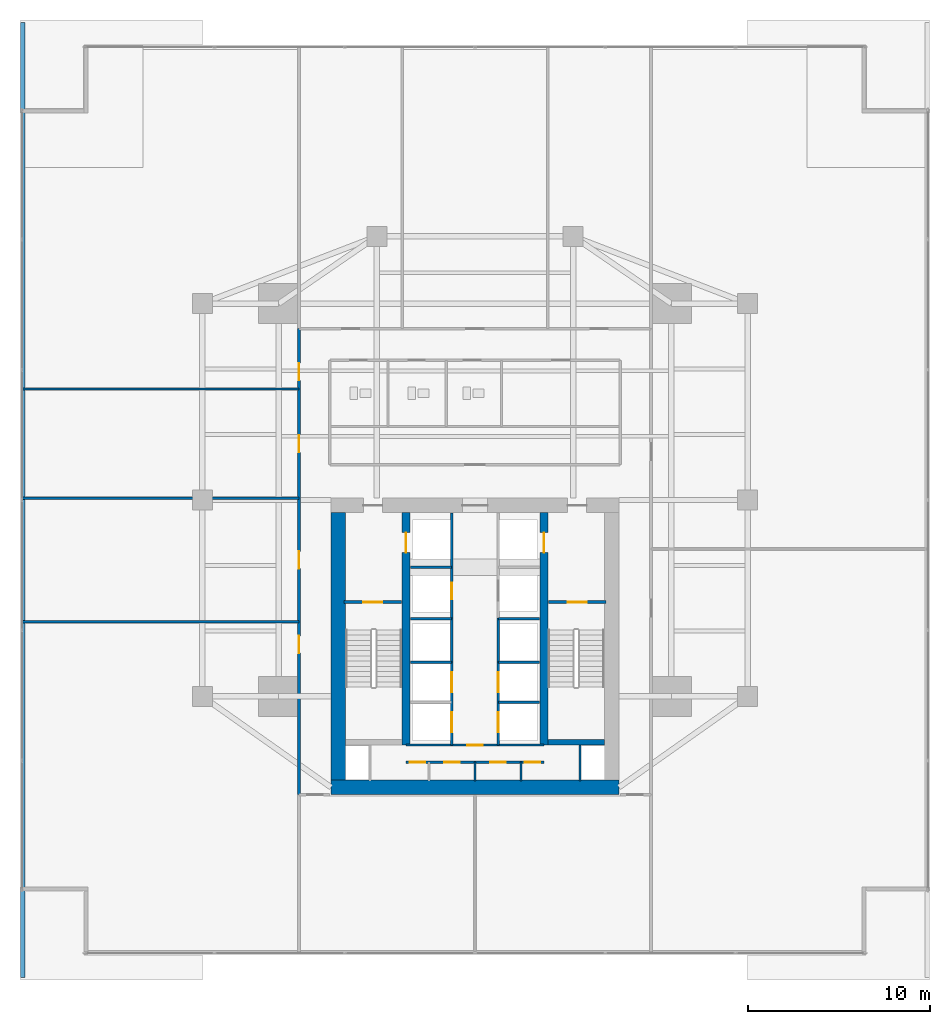
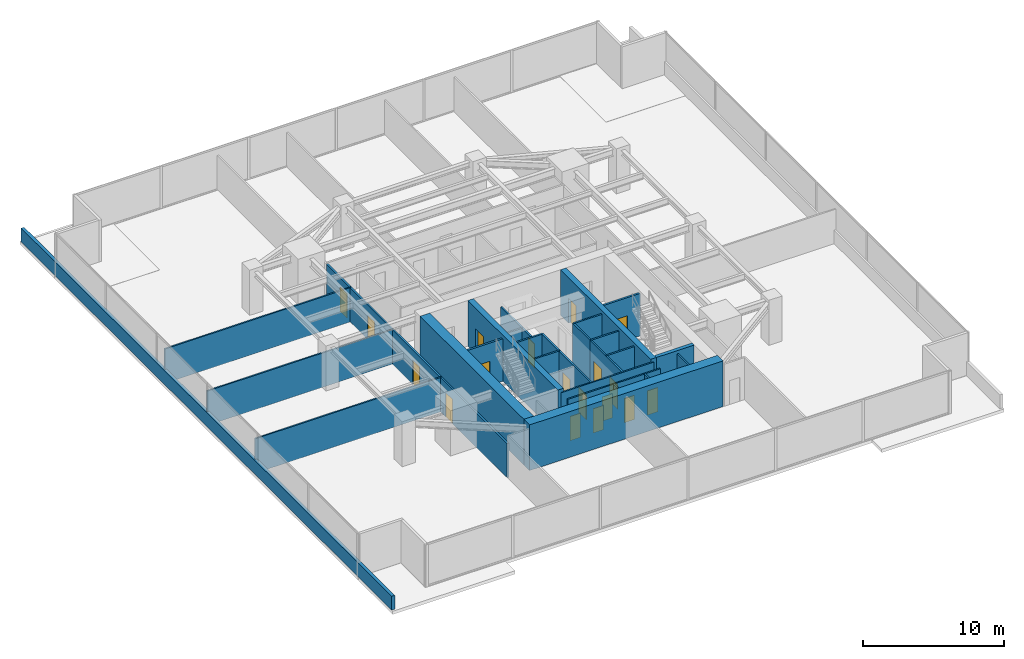
# One storey, part 25 of 30: 28 walls, 18 doors, 18 openings.
"""IFC4 building model written with IfcOpenShell, lengths in metres."""

from ifc_helpers import new_model, si_unit, direction, frame, frame_2d, origin, place, context, subcontext, project, spatial, rectangle, extrude, material, layer, layer_set, type_object, element, fill, save


model = new_model("IFC4")

# Units and contexts
model_context = context("Model", 3, precision=1e-05, world=origin(), true_north=direction((0.0, 1.0)))
body_context = subcontext(model_context, "Body", "Model", "MODEL_VIEW")
ifc_project = project(units=[si_unit("LENGTHUNIT", "METRE"), si_unit("AREAUNIT", "SQUARE_METRE"), si_unit("VOLUMEUNIT", "CUBIC_METRE"), si_unit("PLANEANGLEUNIT", "RADIAN"), si_unit("MASSUNIT", "GRAM", prefix="KILO")], contexts=[model_context])

# Site, building, storey
site_placement = place(None, origin())
site = spatial("IfcSite", under=ifc_project, at=site_placement, CompositionType="ELEMENT")
building_placement = place(site_placement, origin())
building = spatial("IfcBuilding", under=site, at=building_placement, Name="Krantzveldt Concourse Tower", CompositionType="ELEMENT")
storey_placement = place(building_placement, frame((0.0, 0.0, 25.0)))
storey = spatial("IfcBuildingStorey", under=building, at=storey_placement, Name="L05", CompositionType="ELEMENT", Elevation=25.0)

# Wall
ifc_material_1 = material(Name="Precast concrete C40/50", Category="concrete")
ifc_layer_1 = layer(ifc_material_1, 0.25, Name="Precast concrete C40/50", Category="concrete")
ifc_layer_set_1 = layer_set([ifc_layer_1], Name="Precast concrete C40/50 (WL-PARAPET-250)")
wall_type_1 = type_object("IfcWallType", Name="WL-PARAPET-250", PredefinedType="PARAPET", material=ifc_layer_set_1)
wall_1_placement = place(storey_placement, frame((11.1298828125, 0.449951171875, 0.0), z_axis=(0.0, 0.0, 1.0), x_axis=(0.0, 1.0, 0.0)))
element("IfcWall", 1, at=wall_1_placement, inside=storey, type_object=wall_type_1, Name="WL-L05-PAR-W", PredefinedType="PARAPET", context=body_context, shape_type="SweptSolid", body=[
    extrude(rectangle(XDim=52.5, YDim=0.25, at=frame_2d((26.25, 0.0))), origin(), (0.0, 0.0, 1.0), 1.199951171875),
])

# Wall, opening, door
ifc_material_2 = material(Name="Fire-rated gypsum plasterboard on steel stud", Category="steel")
ifc_layer_2 = layer(ifc_material_2, 0.1201171875, Name="Fire-rated gypsum plasterboard on steel stud", Category="steel")
ifc_layer_set_2 = layer_set([ifc_layer_2], Name="Fire-rated gypsum plasterboard on steel stud (WL-PART-120)")
wall_type_2 = type_object("IfcWallType", Name="WL-PART-120", PredefinedType="PARTITIONING", material=ifc_layer_set_2)
wall_2_placement = place(storey_placement, frame((32.2099609375, 13.219970703125, 0.0), z_axis=(0.0, 0.0, 1.0), x_axis=(1.0, 0.0, 0.0)))
wall_2 = element("IfcWall", 2, at=wall_2_placement, inside=storey, type_object=wall_type_2, Name="WP-L05-CS2H", PredefinedType="PARTITIONING", context=body_context, shape_type="SweptSolid", body=[
    extrude(rectangle(XDim=7.580078125, YDim=0.1201171875, at=frame_2d((3.7900390625, 0.0))), origin(), (0.0, 0.0, 1.0), 3.669921875),
])
opening_1_placement = place(wall_2_placement, frame((3.364990234375, 0.0, 0.0)))
opening_1 = element("IfcOpeningElement", 3, at=opening_1_placement, cuts=wall_2, Name="Opening D-IN085", PredefinedType="OPENING", context=body_context, shape_type="SweptSolid", body=[
    extrude(rectangle(XDim=0.85009765625, YDim=2.10009765625, at=frame_2d((0.425048828125, 1.050048828125))), frame((0.0, 0.070068359375, 0.0), z_axis=(0.0, -1.0, 0.0), x_axis=(1.0, 0.0, 0.0)), (0.0, 0.0, 1.0), 0.14013671875),
])
ifc_material_3 = material(Name="Hardwood timber", Category="wood")
door_type_1 = type_object("IfcDoorType", Name="DR-INT-850", OperationType="SINGLE_SWING_LEFT", PredefinedType="DOOR", material=ifc_material_3)
door_1_placement = place(opening_1_placement, origin())
door_1 = element("IfcDoor", 4, at=door_1_placement, inside=storey, type_object=door_type_1, Name="DR-L05-LLBS", OperationType="SINGLE_SWING_RIGHT", OverallHeight=2.10009765625, OverallWidth=0.85009765625, PredefinedType="DOOR", context=body_context, shape_type="SweptSolid", body=[
    extrude(rectangle(XDim=0.85009765625, YDim=2.10009765625, at=frame_2d((0.425048828125, 1.050048828125))), frame((0.0, 0.02490234375, 0.0), z_axis=(0.0, -1.0, 0.0), x_axis=(1.0, 0.0, 0.0)), (0.0, 0.0, 1.0), 0.050048828125),
])
fill(opening_1, door_1)

# Wall, openings, doors
wall_3_placement = place(storey_placement, frame((32.2099609375, 12.280029296875, 0.0), z_axis=(0.0, 0.0, 1.0), x_axis=(1.0, 0.0, 0.0)))
wall_3 = element("IfcWall", 5, at=wall_3_placement, inside=storey, type_object=wall_type_2, Name="WP-L05-CSD-HM", PredefinedType="PARTITIONING", context=body_context, shape_type="SweptSolid", body=[
    extrude(rectangle(XDim=7.580078125, YDim=0.1201171875, at=frame_2d((3.7900390625, 0.0))), origin(), (0.0, 0.0, 1.0), 3.669921875),
])
opening_2_placement = place(wall_3_placement, frame((0.205078125, 0.0, 0.0)))
opening_2 = element("IfcOpeningElement", 6, at=opening_2_placement, cuts=wall_3, Name="Opening D-IN085", PredefinedType="OPENING", context=body_context, shape_type="SweptSolid", body=[
    extrude(rectangle(XDim=0.85009765625, YDim=2.10009765625, at=frame_2d((0.425048828125, 1.050048828125))), frame((0.0, 0.070068359375, 0.0), z_axis=(0.0, -1.0, 0.0), x_axis=(1.0, 0.0, 0.0)), (0.0, 0.0, 1.0), 0.14013671875),
])
opening_3_placement = place(wall_3_placement, frame((2.094970703125, 0.0, 0.0)))
opening_3 = element("IfcOpeningElement", 7, at=opening_3_placement, cuts=wall_3, Name="Opening D-IN085", PredefinedType="OPENING", context=body_context, shape_type="SweptSolid", body=[
    extrude(rectangle(XDim=0.85009765625, YDim=2.10009765625, at=frame_2d((0.425048828125, 1.050048828125))), frame((0.0, 0.070068359375, 0.0), z_axis=(0.0, -1.0, 0.0), x_axis=(1.0, 0.0, 0.0)), (0.0, 0.0, 1.0), 0.14013671875),
])
opening_4_placement = place(wall_3_placement, frame((4.635009765625, 0.0, 0.0)))
opening_4 = element("IfcOpeningElement", 8, at=opening_4_placement, cuts=wall_3, Name="Opening D-IN085", PredefinedType="OPENING", context=body_context, shape_type="SweptSolid", body=[
    extrude(rectangle(XDim=0.85009765625, YDim=2.10009765625, at=frame_2d((0.425048828125, 1.050048828125))), frame((0.0, 0.070068359375, 0.0), z_axis=(0.0, -1.0, 0.0), x_axis=(1.0, 0.0, 0.0)), (0.0, 0.0, 1.0), 0.14013671875),
])
opening_5_placement = place(wall_3_placement, frame((6.52490234375, 0.0, 0.0)))
opening_5 = element("IfcOpeningElement", 9, at=opening_5_placement, cuts=wall_3, Name="Opening D-IN085", PredefinedType="OPENING", context=body_context, shape_type="SweptSolid", body=[
    extrude(rectangle(XDim=0.85009765625, YDim=2.10009765625, at=frame_2d((0.425048828125, 1.050048828125))), frame((0.0, 0.070068359375, 0.0), z_axis=(0.0, -1.0, 0.0), x_axis=(1.0, 0.0, 0.0)), (0.0, 0.0, 1.0), 0.14013671875),
])
door_2_placement = place(opening_2_placement, origin())
door_2 = element("IfcDoor", 10, at=door_2_placement, inside=storey, type_object=door_type_1, Name="DR-L05-CSD1", OperationType="SINGLE_SWING_RIGHT", OverallHeight=2.10009765625, OverallWidth=0.85009765625, PredefinedType="DOOR", context=body_context, shape_type="SweptSolid", body=[
    extrude(rectangle(XDim=0.85009765625, YDim=2.10009765625, at=frame_2d((0.425048828125, 1.050048828125))), frame((0.0, 0.02490234375, 0.0), z_axis=(0.0, -1.0, 0.0), x_axis=(1.0, 0.0, 0.0)), (0.0, 0.0, 1.0), 0.050048828125),
])
fill(opening_2, door_2)
door_3_placement = place(opening_3_placement, origin())
door_3 = element("IfcDoor", 11, at=door_3_placement, inside=storey, type_object=door_type_1, Name="DR-L05-CSD2", OperationType="SINGLE_SWING_RIGHT", OverallHeight=2.10009765625, OverallWidth=0.85009765625, PredefinedType="DOOR", context=body_context, shape_type="SweptSolid", body=[
    extrude(rectangle(XDim=0.85009765625, YDim=2.10009765625, at=frame_2d((0.425048828125, 1.050048828125))), frame((0.0, 0.02490234375, 0.0), z_axis=(0.0, -1.0, 0.0), x_axis=(1.0, 0.0, 0.0)), (0.0, 0.0, 1.0), 0.050048828125),
])
fill(opening_3, door_3)
door_4_placement = place(opening_4_placement, origin())
door_4 = element("IfcDoor", 12, at=door_4_placement, inside=storey, type_object=door_type_1, Name="DR-L05-CSD3", OperationType="SINGLE_SWING_RIGHT", OverallHeight=2.10009765625, OverallWidth=0.85009765625, PredefinedType="DOOR", context=body_context, shape_type="SweptSolid", body=[
    extrude(rectangle(XDim=0.85009765625, YDim=2.10009765625, at=frame_2d((0.425048828125, 1.050048828125))), frame((0.0, 0.02490234375, 0.0), z_axis=(0.0, -1.0, 0.0), x_axis=(1.0, 0.0, 0.0)), (0.0, 0.0, 1.0), 0.050048828125),
])
fill(opening_4, door_4)
door_5_placement = place(opening_5_placement, origin())
door_5 = element("IfcDoor", 13, at=door_5_placement, inside=storey, type_object=door_type_1, Name="DR-L05-CSD4", OperationType="SINGLE_SWING_RIGHT", OverallHeight=2.10009765625, OverallWidth=0.85009765625, PredefinedType="DOOR", context=body_context, shape_type="SweptSolid", body=[
    extrude(rectangle(XDim=0.85009765625, YDim=2.10009765625, at=frame_2d((0.425048828125, 1.050048828125))), frame((0.0, 0.02490234375, 0.0), z_axis=(0.0, -1.0, 0.0), x_axis=(1.0, 0.0, 0.0)), (0.0, 0.0, 1.0), 0.050048828125),
])
fill(opening_5, door_5)

# Walls
for number, where, z_axis, x_axis, name in (
    (14, (36.0, 11.25, 0.0), (0.0, 0.0, 1.0), (0.0, 1.0, 0.0), "WP-L05-CSD-V2"),
    (15, (38.530029296875, 11.25, 0.0), (0.0, 0.0, 1.0), (0.0, 1.0, 0.0), "WP-L05-CSD-V3"),
):
    element("IfcWall", number, at=place(storey_placement, frame(where, z_axis=z_axis, x_axis=x_axis)), inside=storey, type_object=wall_type_2, Name=name, PredefinedType="PARTITIONING", context=body_context, shape_type="SweptSolid", body=[
        extrude(rectangle(XDim=1.030029296875, YDim=0.1201171875, at=frame_2d((0.51513671875, 0.0))), origin(), (0.0, 0.0, 1.0), 3.669921875),
    ])
for number, where, z_axis, x_axis, name in (
    (16, (11.090087890625, 20.0, 0.0), (0.0, 0.0, 1.0), (1.0, 0.0, 0.0), "WP-L05-WD1"),
    (17, (11.090087890625, 26.800048828125, 0.0), (0.0, 0.0, 1.0), (1.0, 0.0, 0.0), "WP-L05-WD2"),
    (18, (11.090087890625, 32.800048828125, 0.0), (0.0, 0.0, 1.0), (1.0, 0.0, 0.0), "WP-L05-WD3"),
):
    element("IfcWall", number, at=place(storey_placement, frame(where, z_axis=z_axis, x_axis=x_axis)), inside=storey, type_object=wall_type_2, Name=name, PredefinedType="PARTITIONING", context=body_context, shape_type="SweptSolid", body=[
        extrude(rectangle(XDim=15.22998046875, YDim=0.1201171875, at=frame_2d((7.614990234375, 0.0))), origin(), (0.0, 0.0, 1.0), 2.969970703125),
    ])

# Wall, openings, doors
ifc_layer_3 = layer(ifc_material_2, 0.139892578125, Name="Fire-rated gypsum plasterboard on steel stud", Category="steel")
ifc_layer_set_3 = layer_set([ifc_layer_3], Name="Fire-rated gypsum plasterboard on steel stud (WL-PART-140)")
wall_type_3 = type_object("IfcWallType", Name="WL-PART-140", PredefinedType="PARTITIONING", material=ifc_layer_set_3)
wall_4_placement = place(storey_placement, frame((26.320068359375, 10.5, 0.0), z_axis=(0.0, 0.0, 1.0), x_axis=(0.0, 1.0, 0.0)))
wall_4 = element("IfcWall", 19, at=wall_4_placement, inside=storey, type_object=wall_type_3, Name="WP-L05-CWEST", PredefinedType="PARTITIONING", context=body_context, shape_type="SweptSolid", body=[
    extrude(rectangle(XDim=25.6201171875, YDim=0.139892578125, at=frame_2d((12.81005859375, 0.0))), origin(), (0.0, 0.0, 1.0), 2.969970703125),
])
opening_6_placement = place(wall_4_placement, frame((7.77490234375, 0.0, 0.0)))
opening_6 = element("IfcOpeningElement", 20, at=opening_6_placement, cuts=wall_4, Name="Opening D-IN095", PredefinedType="OPENING", context=body_context, shape_type="SweptSolid", body=[
    extrude(rectangle(XDim=0.949951171875, YDim=2.10009765625, at=frame_2d((0.47509765625, 1.050048828125))), frame((0.0, 0.080078125, 0.0), z_axis=(0.0, -1.0, 0.0), x_axis=(1.0, 0.0, 0.0)), (0.0, 0.0, 1.0), 0.159912109375),
])
opening_7_placement = place(wall_4_placement, frame((12.425048828125, 0.0, 0.0)))
opening_7 = element("IfcOpeningElement", 21, at=opening_7_placement, cuts=wall_4, Name="Opening D-IN095", PredefinedType="OPENING", context=body_context, shape_type="SweptSolid", body=[
    extrude(rectangle(XDim=0.949951171875, YDim=2.10009765625, at=frame_2d((0.47509765625, 1.050048828125))), frame((0.0, 0.080078125, 0.0), z_axis=(0.0, -1.0, 0.0), x_axis=(1.0, 0.0, 0.0)), (0.0, 0.0, 1.0), 0.159912109375),
])
opening_8_placement = place(wall_4_placement, frame((18.824951171875, 0.0, 0.0)))
opening_8 = element("IfcOpeningElement", 22, at=opening_8_placement, cuts=wall_4, Name="Opening D-IN095", PredefinedType="OPENING", context=body_context, shape_type="SweptSolid", body=[
    extrude(rectangle(XDim=0.949951171875, YDim=2.10009765625, at=frame_2d((0.47509765625, 1.050048828125))), frame((0.0, 0.080078125, 0.0), z_axis=(0.0, -1.0, 0.0), x_axis=(1.0, 0.0, 0.0)), (0.0, 0.0, 1.0), 0.159912109375),
])
opening_9_placement = place(wall_4_placement, frame((22.77490234375, 0.0, 0.0)))
opening_9 = element("IfcOpeningElement", 23, at=opening_9_placement, cuts=wall_4, Name="Opening D-IN095", PredefinedType="OPENING", context=body_context, shape_type="SweptSolid", body=[
    extrude(rectangle(XDim=0.949951171875, YDim=2.10009765625, at=frame_2d((0.47509765625, 1.050048828125))), frame((0.0, 0.080078125, 0.0), z_axis=(0.0, -1.0, 0.0), x_axis=(1.0, 0.0, 0.0)), (0.0, 0.0, 1.0), 0.159912109375),
])
door_type_2 = type_object("IfcDoorType", Name="DR-INT-950", OperationType="SINGLE_SWING_LEFT", PredefinedType="DOOR", material=ifc_material_3)
door_6_placement = place(opening_6_placement, origin())
door_6 = element("IfcDoor", 24, at=door_6_placement, inside=storey, type_object=door_type_2, Name="DR-L05-WR1", OperationType="SINGLE_SWING_LEFT", OverallHeight=2.10009765625, OverallWidth=0.949951171875, PredefinedType="DOOR", context=body_context, shape_type="SweptSolid", body=[
    extrude(rectangle(XDim=0.949951171875, YDim=2.10009765625, at=frame_2d((0.47509765625, 1.050048828125))), frame((0.0, 0.02490234375, 0.0), z_axis=(0.0, -1.0, 0.0), x_axis=(1.0, 0.0, 0.0)), (0.0, 0.0, 1.0), 0.050048828125),
])
fill(opening_6, door_6)
door_7_placement = place(opening_7_placement, origin())
door_7 = element("IfcDoor", 25, at=door_7_placement, inside=storey, type_object=door_type_2, Name="DR-L05-WR2", OperationType="SINGLE_SWING_LEFT", OverallHeight=2.10009765625, OverallWidth=0.949951171875, PredefinedType="DOOR", context=body_context, shape_type="SweptSolid", body=[
    extrude(rectangle(XDim=0.949951171875, YDim=2.10009765625, at=frame_2d((0.47509765625, 1.050048828125))), frame((0.0, 0.02490234375, 0.0), z_axis=(0.0, -1.0, 0.0), x_axis=(1.0, 0.0, 0.0)), (0.0, 0.0, 1.0), 0.050048828125),
])
fill(opening_7, door_7)
door_8_placement = place(opening_8_placement, origin())
door_8 = element("IfcDoor", 26, at=door_8_placement, inside=storey, type_object=door_type_2, Name="DR-L05-WR3", OperationType="SINGLE_SWING_LEFT", OverallHeight=2.10009765625, OverallWidth=0.949951171875, PredefinedType="DOOR", context=body_context, shape_type="SweptSolid", body=[
    extrude(rectangle(XDim=0.949951171875, YDim=2.10009765625, at=frame_2d((0.47509765625, 1.050048828125))), frame((0.0, 0.02490234375, 0.0), z_axis=(0.0, -1.0, 0.0), x_axis=(1.0, 0.0, 0.0)), (0.0, 0.0, 1.0), 0.050048828125),
])
fill(opening_8, door_8)
door_9_placement = place(opening_9_placement, origin())
door_9 = element("IfcDoor", 27, at=door_9_placement, inside=storey, type_object=door_type_2, Name="DR-L05-WR4", OperationType="SINGLE_SWING_LEFT", OverallHeight=2.10009765625, OverallWidth=0.949951171875, PredefinedType="DOOR", context=body_context, shape_type="SweptSolid", body=[
    extrude(rectangle(XDim=0.949951171875, YDim=2.10009765625, at=frame_2d((0.47509765625, 1.050048828125))), frame((0.0, 0.02490234375, 0.0), z_axis=(0.0, -1.0, 0.0), x_axis=(1.0, 0.0, 0.0)), (0.0, 0.0, 1.0), 0.050048828125),
])
fill(opening_9, door_9)

# Wall, opening, door
ifc_layer_4 = layer(ifc_material_2, 0.139892578125, Name="Fire-rated gypsum plasterboard on steel stud", Category="steel")
ifc_layer_set_4 = layer_set([ifc_layer_4], Name="Fire-rated gypsum plasterboard on steel stud (WL-PART-FR140)")
wall_type_4 = type_object("IfcWallType", Name="WL-PART-FR140", PredefinedType="PARTITIONING", material=ifc_layer_set_4)
wall_5_placement = place(storey_placement, frame((34.719970703125, 20.199951171875, 0.0), z_axis=(0.0, 0.0, 1.0), x_axis=(0.0, 1.0, 0.0)))
wall_5 = element("IfcWall", 28, at=wall_5_placement, inside=storey, type_object=wall_type_4, Name="WP-L05-SHNW", PredefinedType="PARTITIONING", context=body_context, shape_type="SweptSolid", body=[
    extrude(rectangle(XDim=5.780029296875, YDim=0.139892578125, at=frame_2d((2.89013671875, 0.0))), origin(), (0.0, 0.0, 1.0), 2.469970703125),
])
opening_10_placement = place(wall_5_placement, frame((1.050048828125, 0.0, 0.0)))
opening_10 = element("IfcOpeningElement", 29, at=opening_10_placement, cuts=wall_5, Name="Opening D-FD090", PredefinedType="OPENING", context=body_context, shape_type="SweptSolid", body=[
    extrude(rectangle(XDim=0.89990234375, YDim=2.10009765625, at=frame_2d((0.449951171875, 1.050048828125))), frame((0.0, 0.080078125, 0.0), z_axis=(0.0, -1.0, 0.0), x_axis=(1.0, 0.0, 0.0)), (0.0, 0.0, 1.0), 0.159912109375),
])
door_type_3 = type_object("IfcDoorType", Name="DR-FD60-900", OperationType="SINGLE_SWING_LEFT", PredefinedType="DOOR", material=ifc_material_3)
door_10_placement = place(opening_10_placement, origin())
door_10 = element("IfcDoor", 30, at=door_10_placement, inside=storey, type_object=door_type_3, Name="Electrical Riser Access Door L05", OperationType="SINGLE_SWING_LEFT", OverallHeight=2.10009765625, OverallWidth=0.89990234375, PredefinedType="DOOR", context=body_context, shape_type="SweptSolid", body=[
    extrude(rectangle(XDim=0.89990234375, YDim=2.10009765625, at=frame_2d((0.449951171875, 1.050048828125))), frame((0.0, 0.02490234375, 0.0), z_axis=(0.0, -1.0, 0.0), x_axis=(1.0, 0.0, 0.0)), (0.0, 0.0, 1.0), 0.050048828125),
])
fill(opening_10, door_10)

# Walls
wall_6_placement = place(storey_placement, frame((32.449951171875, 23.0, 0.0), z_axis=(0.0, 0.0, 1.0), x_axis=(1.0, 0.0, 0.0)))
element("IfcWall", 31, at=wall_6_placement, inside=storey, type_object=wall_type_4, Name="WP-L05-RISH", PredefinedType="PARTITIONING", context=body_context, shape_type="SweptSolid", body=[
    extrude(rectangle(XDim=2.27001953125, YDim=0.139892578125, at=frame_2d((1.135009765625, 0.0))), origin(), (0.0, 0.0, 1.0), 2.469970703125),
])
for number, where, z_axis, x_axis, name in (
    (32, (34.719970703125, 17.780029296875, 0.0), (0.0, 0.0, 1.0), (0.0, 1.0, 0.0), "WP-L05-SHNW2"),
    (33, (37.280029296875, 17.780029296875, 0.0), (0.0, 0.0, 1.0), (0.0, 1.0, 0.0), "WP-L05-SHNE2"),
):
    element("IfcWall", number, at=place(storey_placement, frame(where, z_axis=z_axis, x_axis=x_axis)), inside=storey, type_object=wall_type_4, Name=name, PredefinedType="PARTITIONING", context=body_context, shape_type="SweptSolid", body=[
        extrude(rectangle(XDim=2.419921875, YDim=0.139892578125, at=frame_2d((1.2099609375, 0.0))), origin(), (0.0, 0.0, 1.0), 3.669921875),
    ])
for number, where, z_axis, x_axis, name in (
    (34, (32.449951171875, 17.780029296875, 0.0), (0.0, 0.0, 1.0), (1.0, 0.0, 0.0), "WP-L05-DIVW2"),
    (35, (32.449951171875, 20.179931640625, 0.0), (0.0, 0.0, 1.0), (1.0, 0.0, 0.0), "WP-L05-DIVW3"),
    (36, (37.280029296875, 17.780029296875, 0.0), (0.0, 0.0, 1.0), (1.0, 0.0, 0.0), "WP-L05-DIVE2"),
    (37, (37.280029296875, 20.179931640625, 0.0), (0.0, 0.0, 1.0), (1.0, 0.0, 0.0), "WP-L05-DIVE3"),
):
    element("IfcWall", number, at=place(storey_placement, frame(where, z_axis=z_axis, x_axis=x_axis)), inside=storey, type_object=wall_type_4, Name=name, PredefinedType="PARTITIONING", context=body_context, shape_type="SweptSolid", body=[
        extrude(rectangle(XDim=2.27001953125, YDim=0.139892578125, at=frame_2d((1.135009765625, 0.0))), origin(), (0.0, 0.0, 1.0), 3.669921875),
    ])

# Wall, openings, doors
wall_7_placement = place(storey_placement, frame((34.719970703125, 13.219970703125, 0.0), z_axis=(0.0, 0.0, 1.0), x_axis=(0.0, 1.0, 0.0)))
wall_7 = element("IfcWall", 38, at=wall_7_placement, inside=storey, type_object=wall_type_4, Name="WP-L05-SHSW", PredefinedType="PARTITIONING", context=body_context, shape_type="SweptSolid", body=[
    extrude(rectangle(XDim=4.56005859375, YDim=0.139892578125, at=frame_2d((2.280029296875, 0.0))), origin(), (0.0, 0.0, 1.0), 3.669921875),
])
opening_11_placement = place(wall_7_placement, frame((0.7099609375, 0.0, 0.0)))
opening_11 = element("IfcOpeningElement", 39, at=opening_11_placement, cuts=wall_7, Name="Opening LD", PredefinedType="OPENING", context=body_context, shape_type="SweptSolid", body=[
    extrude(rectangle(XDim=1.10009765625, YDim=2.14990234375, at=frame_2d((0.550048828125, 1.074951171875))), frame((0.0, 0.080078125, 0.0), z_axis=(0.0, -1.0, 0.0), x_axis=(1.0, 0.0, 0.0)), (0.0, 0.0, 1.0), 0.159912109375),
])
opening_12_placement = place(wall_7_placement, frame((2.909912109375, 0.0, 0.0)))
opening_12 = element("IfcOpeningElement", 40, at=opening_12_placement, cuts=wall_7, Name="Opening LD", PredefinedType="OPENING", context=body_context, shape_type="SweptSolid", body=[
    extrude(rectangle(XDim=1.10009765625, YDim=2.14990234375, at=frame_2d((0.550048828125, 1.074951171875))), frame((0.0, 0.080078125, 0.0), z_axis=(0.0, -1.0, 0.0), x_axis=(1.0, 0.0, 0.0)), (0.0, 0.0, 1.0), 0.159912109375),
])
ifc_material_4 = material(Name="Stainless steel 316L", Category="steel")
door_type_4 = type_object("IfcDoorType", Name="DR-SLIDE-LD1100", OperationType="DOUBLE_DOOR_SLIDING", PredefinedType="DOOR", material=ifc_material_4)
door_11_placement = place(opening_11_placement, origin())
door_11 = element("IfcDoor", 41, at=door_11_placement, inside=storey, type_object=door_type_4, Name="LD-L05-PL1", OperationType="DOUBLE_DOOR_SLIDING", OverallHeight=2.14990234375, OverallWidth=1.10009765625, PredefinedType="DOOR", context=body_context, shape_type="SweptSolid", body=[
    extrude(rectangle(XDim=1.10009765625, YDim=2.14990234375, at=frame_2d((0.550048828125, 1.074951171875))), frame((0.0, 0.02490234375, 0.0), z_axis=(0.0, -1.0, 0.0), x_axis=(1.0, 0.0, 0.0)), (0.0, 0.0, 1.0), 0.050048828125),
])
fill(opening_11, door_11)
door_12_placement = place(opening_12_placement, origin())
door_12 = element("IfcDoor", 42, at=door_12_placement, inside=storey, type_object=door_type_4, Name="LD-L05-PL2", OperationType="DOUBLE_DOOR_SLIDING", OverallHeight=2.14990234375, OverallWidth=1.10009765625, PredefinedType="DOOR", context=body_context, shape_type="SweptSolid", body=[
    extrude(rectangle(XDim=1.10009765625, YDim=2.14990234375, at=frame_2d((0.550048828125, 1.074951171875))), frame((0.0, 0.02490234375, 0.0), z_axis=(0.0, -1.0, 0.0), x_axis=(1.0, 0.0, 0.0)), (0.0, 0.0, 1.0), 0.050048828125),
])
fill(opening_12, door_12)

wall_8_placement = place(storey_placement, frame((37.280029296875, 13.219970703125, 0.0), z_axis=(0.0, 0.0, 1.0), x_axis=(0.0, 1.0, 0.0)))
wall_8 = element("IfcWall", 43, at=wall_8_placement, inside=storey, type_object=wall_type_4, Name="WP-L05-SHSE", PredefinedType="PARTITIONING", context=body_context, shape_type="SweptSolid", body=[
    extrude(rectangle(XDim=4.56005859375, YDim=0.139892578125, at=frame_2d((2.280029296875, 0.0))), origin(), (0.0, 0.0, 1.0), 3.669921875),
])
opening_13_placement = place(wall_8_placement, frame((0.7099609375, 0.0, 0.0)))
opening_13 = element("IfcOpeningElement", 44, at=opening_13_placement, cuts=wall_8, Name="Opening LD", PredefinedType="OPENING", context=body_context, shape_type="SweptSolid", body=[
    extrude(rectangle(XDim=1.10009765625, YDim=2.14990234375, at=frame_2d((0.550048828125, 1.074951171875))), frame((0.0, 0.080078125, 0.0), z_axis=(0.0, -1.0, 0.0), x_axis=(1.0, 0.0, 0.0)), (0.0, 0.0, 1.0), 0.159912109375),
])
opening_14_placement = place(wall_8_placement, frame((2.909912109375, 0.0, 0.0)))
opening_14 = element("IfcOpeningElement", 45, at=opening_14_placement, cuts=wall_8, Name="Opening LD", PredefinedType="OPENING", context=body_context, shape_type="SweptSolid", body=[
    extrude(rectangle(XDim=1.10009765625, YDim=2.14990234375, at=frame_2d((0.550048828125, 1.074951171875))), frame((0.0, 0.080078125, 0.0), z_axis=(0.0, -1.0, 0.0), x_axis=(1.0, 0.0, 0.0)), (0.0, 0.0, 1.0), 0.159912109375),
])
door_13_placement = place(opening_13_placement, origin())
door_13 = element("IfcDoor", 46, at=door_13_placement, inside=storey, type_object=door_type_4, Name="LD-L05-PM1", OperationType="DOUBLE_DOOR_SLIDING", OverallHeight=2.14990234375, OverallWidth=1.10009765625, PredefinedType="DOOR", context=body_context, shape_type="SweptSolid", body=[
    extrude(rectangle(XDim=1.10009765625, YDim=2.14990234375, at=frame_2d((0.550048828125, 1.074951171875))), frame((0.0, 0.02490234375, 0.0), z_axis=(0.0, -1.0, 0.0), x_axis=(1.0, 0.0, 0.0)), (0.0, 0.0, 1.0), 0.050048828125),
])
fill(opening_13, door_13)
door_14_placement = place(opening_14_placement, origin())
door_14 = element("IfcDoor", 47, at=door_14_placement, inside=storey, type_object=door_type_4, Name="LD-L05-PM2", OperationType="DOUBLE_DOOR_SLIDING", OverallHeight=2.14990234375, OverallWidth=1.10009765625, PredefinedType="DOOR", context=body_context, shape_type="SweptSolid", body=[
    extrude(rectangle(XDim=1.10009765625, YDim=2.14990234375, at=frame_2d((0.550048828125, 1.074951171875))), frame((0.0, 0.02490234375, 0.0), z_axis=(0.0, -1.0, 0.0), x_axis=(1.0, 0.0, 0.0)), (0.0, 0.0, 1.0), 0.050048828125),
])
fill(opening_14, door_14)

# Walls
wall_9_placement = place(storey_placement, frame((37.280029296875, 15.580078125, 0.0), z_axis=(0.0, 0.0, 1.0), x_axis=(1.0, 0.0, 0.0)))
element("IfcWall", 48, at=wall_9_placement, inside=storey, type_object=wall_type_4, Name="WP-L05-DIVE1", PredefinedType="PARTITIONING", context=body_context, shape_type="SweptSolid", body=[
    extrude(rectangle(XDim=2.27001953125, YDim=0.139892578125, at=frame_2d((1.135009765625, 0.0))), origin(), (0.0, 0.0, 1.0), 3.669921875),
])
wall_10_placement = place(storey_placement, frame((41.780029296875, 11.25, 0.0), z_axis=(0.0, 0.0, 1.0), x_axis=(0.0, 1.0, 0.0)))
element("IfcWall", 49, at=wall_10_placement, inside=storey, type_object=wall_type_4, Name="WP-L05-RSE", PredefinedType="PARTITIONING", context=body_context, shape_type="SweptSolid", body=[
    extrude(rectangle(XDim=1.969970703125, YDim=0.1201171875, at=frame_2d((0.98486328125, 0.0))), origin(), (0.0, 0.0, 1.0), 3.669921875),
])

# Wall, opening, door
ifc_layer_5 = layer(ifc_material_2, 0.159912109375, Name="Fire-rated gypsum plasterboard on steel stud", Category="steel")
ifc_layer_set_5 = layer_set([ifc_layer_5], Name="Fire-rated gypsum plasterboard on steel stud (WL-PART-FR160)")
wall_type_5 = type_object("IfcWallType", Name="WL-PART-FR160", PredefinedType="PARTITIONING", material=ifc_layer_set_5)
wall_11_placement = place(storey_placement, frame((28.800048828125, 21.080078125, 0.0), z_axis=(0.0, 0.0, 1.0), x_axis=(1.0, 0.0, 0.0)))
wall_11 = element("IfcWall", 50, at=wall_11_placement, inside=storey, type_object=wall_type_5, Name="WP-L05-ST1", PredefinedType="PARTITIONING", context=body_context, shape_type="SweptSolid", body=[
    extrude(rectangle(XDim=3.159912109375, YDim=0.159912109375, at=frame_2d((1.580078125, 0.0))), origin(), (0.0, 0.0, 1.0), 3.669921875),
])
opening_15_placement = place(wall_11_placement, frame((1.054931640625, 0.0, 0.0)))
opening_15 = element("IfcOpeningElement", 51, at=opening_15_placement, cuts=wall_11, Name="Opening D-FD105", PredefinedType="OPENING", context=body_context, shape_type="SweptSolid", body=[
    extrude(rectangle(XDim=1.050048828125, YDim=2.10009765625, at=frame_2d((0.52490234375, 1.050048828125))), frame((0.0, 0.08984375, 0.0), z_axis=(0.0, -1.0, 0.0), x_axis=(1.0, 0.0, 0.0)), (0.0, 0.0, 1.0), 0.179931640625),
])
ifc_material_5 = material(Name="Galvanised steel", Category="steel")
door_type_5 = type_object("IfcDoorType", Name="DR-FD120-1050", OperationType="SINGLE_SWING_LEFT", PredefinedType="DOOR", material=ifc_material_5)
door_15_placement = place(opening_15_placement, origin())
door_15 = element("IfcDoor", 52, at=door_15_placement, inside=storey, type_object=door_type_5, Name="DR-L05-ST1", OperationType="SINGLE_SWING_RIGHT", OverallHeight=2.10009765625, OverallWidth=1.050048828125, PredefinedType="DOOR", context=body_context, shape_type="SweptSolid", body=[
    extrude(rectangle(XDim=1.050048828125, YDim=2.10009765625, at=frame_2d((0.52490234375, 1.050048828125))), frame((0.0, 0.02490234375, 0.0), z_axis=(0.0, -1.0, 0.0), x_axis=(1.0, 0.0, 0.0)), (0.0, 0.0, 1.0), 0.050048828125),
])
fill(opening_15, door_15)

wall_12_placement = place(storey_placement, frame((40.0400390625, 21.080078125, 0.0), z_axis=(0.0, 0.0, 1.0), x_axis=(1.0, 0.0, 0.0)))
wall_12 = element("IfcWall", 53, at=wall_12_placement, inside=storey, type_object=wall_type_5, Name="WP-L05-ST2", PredefinedType="PARTITIONING", context=body_context, shape_type="SweptSolid", body=[
    extrude(rectangle(XDim=3.159912109375, YDim=0.159912109375, at=frame_2d((1.580078125, 0.0))), origin(), (0.0, 0.0, 1.0), 3.669921875),
])
opening_16_placement = place(wall_12_placement, frame((1.054931640625, 0.0, 0.0)))
opening_16 = element("IfcOpeningElement", 54, at=opening_16_placement, cuts=wall_12, Name="Opening D-FD105", PredefinedType="OPENING", context=body_context, shape_type="SweptSolid", body=[
    extrude(rectangle(XDim=1.050048828125, YDim=2.10009765625, at=frame_2d((0.52490234375, 1.050048828125))), frame((0.0, 0.08984375, 0.0), z_axis=(0.0, -1.0, 0.0), x_axis=(1.0, 0.0, 0.0)), (0.0, 0.0, 1.0), 0.179931640625),
])
door_16_placement = place(opening_16_placement, origin())
door_16 = element("IfcDoor", 55, at=door_16_placement, inside=storey, type_object=door_type_5, Name="DR-L05-ST2", OperationType="SINGLE_SWING_LEFT", OverallHeight=2.10009765625, OverallWidth=1.050048828125, PredefinedType="DOOR", context=body_context, shape_type="SweptSolid", body=[
    extrude(rectangle(XDim=1.050048828125, YDim=2.10009765625, at=frame_2d((0.52490234375, 1.050048828125))), frame((0.0, 0.02490234375, 0.0), z_axis=(0.0, -1.0, 0.0), x_axis=(1.0, 0.0, 0.0)), (0.0, 0.0, 1.0), 0.050048828125),
])
fill(opening_16, door_16)

# Wall
ifc_material_6 = material(Name="Concrete C50/60", Category="concrete")
ifc_layer_6 = layer(ifc_material_6, 0.300048828125, Name="Concrete C50/60", Category="concrete")
ifc_layer_set_6 = layer_set([ifc_layer_6], Name="Concrete C50/60 (WL-SHEAR-300)")
wall_type_6 = type_object("IfcWallType", Name="WL-SHEAR-300", PredefinedType="SHEAR", material=ifc_layer_set_6)
wall_13_placement = place(storey_placement, frame((40.02001953125, 13.3701171875, 0.0), z_axis=(0.0, 0.0, 1.0), x_axis=(1.0, 0.0, 0.0)))
element("IfcWall", 56, at=wall_13_placement, inside=storey, type_object=wall_type_6, Name="CW-L05-ST2S", PredefinedType="SHEAR", context=body_context, shape_type="SweptSolid", body=[
    extrude(rectangle(XDim=3.10009765625, YDim=0.300048828125, at=frame_2d((1.550048828125, 0.0))), origin(), (0.0, 0.0, 1.0), 3.949951171875),
])

# Wall, opening, door
ifc_layer_7 = layer(ifc_material_6, 0.449951171875, Name="Concrete C50/60", Category="concrete")
ifc_layer_set_7 = layer_set([ifc_layer_7], Name="Concrete C50/60 (WL-SHEAR-450)")
wall_type_7 = type_object("IfcWallType", Name="WL-SHEAR-450", PredefinedType="SHEAR", material=ifc_layer_set_7)
wall_14_placement = place(storey_placement, frame((32.205078125, 13.219970703125, 0.0), z_axis=(0.0, 0.0, 1.0), x_axis=(0.0, 1.0, 0.0)))
wall_14 = element("IfcWall", 57, at=wall_14_placement, inside=storey, type_object=wall_type_7, Name="CW-L05-IW", PredefinedType="SHEAR", context=body_context, shape_type="SweptSolid", body=[
    extrude(rectangle(XDim=12.780029296875, YDim=0.449951171875, at=frame_2d((6.39013671875, 0.0))), origin(), (0.0, 0.0, 1.0), 3.949951171875),
])
opening_17_placement = place(wall_14_placement, frame((10.580078125, 0.0, 0.0)))
opening_17 = element("IfcOpeningElement", 58, at=opening_17_placement, cuts=wall_14, Name="Opening LD", PredefinedType="OPENING", context=body_context, shape_type="SweptSolid", body=[
    extrude(rectangle(XDim=1.10009765625, YDim=2.14990234375, at=frame_2d((0.550048828125, 1.074951171875))), frame((0.0, 0.23486328125, 0.0), z_axis=(0.0, -1.0, 0.0), x_axis=(1.0, 0.0, 0.0)), (0.0, 0.0, 1.0), 0.469970703125),
])
door_17_placement = place(opening_17_placement, origin())
door_17 = element("IfcDoor", 59, at=door_17_placement, inside=storey, type_object=door_type_4, Name="LD-L05-FL1", OperationType="DOUBLE_DOOR_SLIDING", OverallHeight=2.14990234375, OverallWidth=1.10009765625, PredefinedType="DOOR", context=body_context, shape_type="SweptSolid", body=[
    extrude(rectangle(XDim=1.10009765625, YDim=2.14990234375, at=frame_2d((0.550048828125, 1.074951171875))), frame((0.0, 0.02490234375, 0.0), z_axis=(0.0, -1.0, 0.0), x_axis=(1.0, 0.0, 0.0)), (0.0, 0.0, 1.0), 0.050048828125),
])
fill(opening_17, door_17)

wall_15_placement = place(storey_placement, frame((39.794921875, 13.219970703125, 0.0), z_axis=(0.0, 0.0, 1.0), x_axis=(0.0, 1.0, 0.0)))
wall_15 = element("IfcWall", 60, at=wall_15_placement, inside=storey, type_object=wall_type_7, Name="CW-L05-IE", PredefinedType="SHEAR", context=body_context, shape_type="SweptSolid", body=[
    extrude(rectangle(XDim=12.780029296875, YDim=0.449951171875, at=frame_2d((6.39013671875, 0.0))), origin(), (0.0, 0.0, 1.0), 3.949951171875),
])
opening_18_placement = place(wall_15_placement, frame((10.580078125, 0.0, 0.0)))
opening_18 = element("IfcOpeningElement", 61, at=opening_18_placement, cuts=wall_15, Name="Opening LD", PredefinedType="OPENING", context=body_context, shape_type="SweptSolid", body=[
    extrude(rectangle(XDim=1.10009765625, YDim=2.14990234375, at=frame_2d((0.550048828125, 1.074951171875))), frame((0.0, 0.23486328125, 0.0), z_axis=(0.0, -1.0, 0.0), x_axis=(1.0, 0.0, 0.0)), (0.0, 0.0, 1.0), 0.469970703125),
])
door_18_placement = place(opening_18_placement, origin())
door_18 = element("IfcDoor", 62, at=door_18_placement, inside=storey, type_object=door_type_4, Name="LD-L05-FL2", OperationType="DOUBLE_DOOR_SLIDING", OverallHeight=2.14990234375, OverallWidth=1.10009765625, PredefinedType="DOOR", context=body_context, shape_type="SweptSolid", body=[
    extrude(rectangle(XDim=1.10009765625, YDim=2.14990234375, at=frame_2d((0.550048828125, 1.074951171875))), frame((0.0, 0.02490234375, 0.0), z_axis=(0.0, -1.0, 0.0), x_axis=(1.0, 0.0, 0.0)), (0.0, 0.0, 1.0), 0.050048828125),
])
fill(opening_18, door_18)

# Walls
ifc_material_7 = material(Name="Concrete C60/75", Category="concrete")
ifc_layer_8 = layer(ifc_material_7, 0.800048828125, Name="Concrete C60/75", Category="concrete")
ifc_layer_set_8 = layer_set([ifc_layer_8], Name="Concrete C60/75 (WL-SHEAR-800)")
wall_type_8 = type_object("IfcWallType", Name="WL-SHEAR-800", PredefinedType="SHEAR", material=ifc_layer_set_8)
wall_16_placement = place(storey_placement, frame((28.080078125, 10.89990234375, 0.0), z_axis=(0.0, 0.0, 1.0), x_axis=(1.0, 0.0, 0.0)))
element("IfcWall", 63, at=wall_16_placement, inside=storey, type_object=wall_type_8, Name="CW-L05-S", PredefinedType="SHEAR", context=body_context, shape_type="SweptSolid", body=[
    extrude(rectangle(XDim=15.83984375, YDim=0.800048828125, at=frame_2d((7.919921875, 0.0))), origin(), (0.0, 0.0, 1.0), 3.949951171875),
])
wall_17_placement = place(storey_placement, frame((28.47998046875, 11.300048828125, 0.0), z_axis=(0.0, 0.0, 1.0), x_axis=(0.0, 1.0, 0.0)))
element("IfcWall", 64, at=wall_17_placement, inside=storey, type_object=wall_type_8, Name="CW-L05-W", PredefinedType="SHEAR", context=body_context, shape_type="SweptSolid", body=[
    extrude(rectangle(XDim=14.699951171875, YDim=0.800048828125, at=frame_2d((7.35009765625, 0.0))), origin(), (0.0, 0.0, 1.0), 3.949951171875),
])

save(model, "model.ifc")
